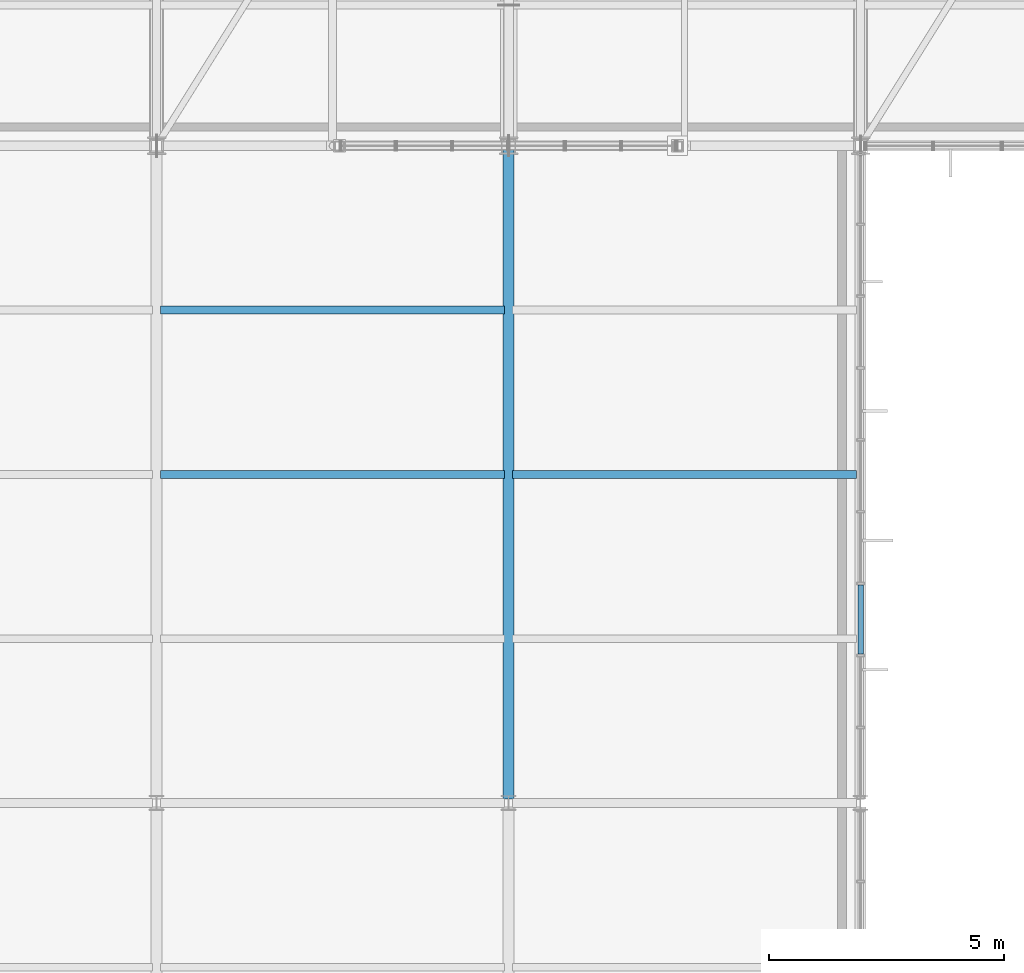
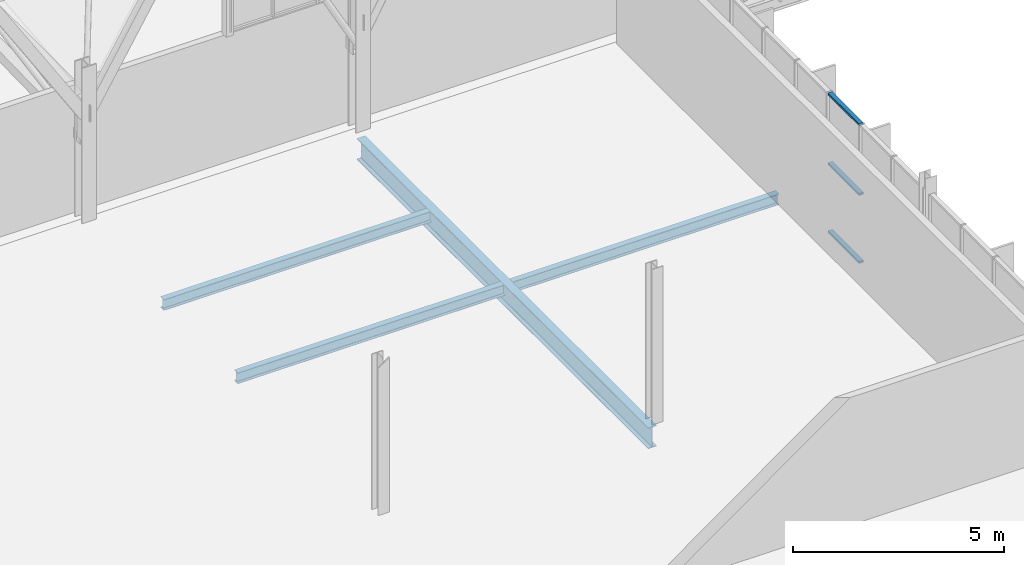
# One storey, part 53 of 324: 4 beams, 3 members, 1 element without a shape of its own.
"""IFC4 building model written with IfcOpenShell, lengths in metres."""

from ifc_helpers import new_model, si_unit, direction, frame, origin, origin_2d, place, context, subcontext, project, spatial, hollow_rectangle, i_section, extrude, material, layer, layer_set, material_profile, profile_set, type_object, element, aggregate, save


model = new_model("IFC4")

# Units and contexts
model_context = context("Model", 3, precision=1e-05, world=origin(), true_north=direction((0.0, 1.0)))
body_context = subcontext(model_context, "Body", "Model", "MODEL_VIEW")
ifc_project = project(units=[si_unit("LENGTHUNIT", "METRE"), si_unit("AREAUNIT", "SQUARE_METRE"), si_unit("VOLUMEUNIT", "CUBIC_METRE"), si_unit("PLANEANGLEUNIT", "RADIAN"), si_unit("MASSUNIT", "GRAM", prefix="KILO")], contexts=[model_context])

# Site, building, storey
site_placement = place(None, origin())
site = spatial("IfcSite", under=ifc_project, at=site_placement, CompositionType="ELEMENT")
building_placement = place(site_placement, origin())
building = spatial("IfcBuilding", under=site, at=building_placement, Name="Solvenia Promenade Tram Depot", CompositionType="ELEMENT")
storey_placement = place(building_placement, frame((0.0, 0.0, 4.5)))
storey = spatial("IfcBuildingStorey", under=building, at=storey_placement, Name="L01", CompositionType="ELEMENT", Elevation=4.5)

# Curtain wall, members
ifc_material_1 = material(Name="Anodized aluminium AW-6063 T6", Category="aluminium")
ifc_layer = layer(ifc_material_1, 0.1201171875, Name="Anodized aluminium AW-6063 T6", Category="aluminium")
ifc_layer_set = layer_set([ifc_layer], Name="Anodized aluminium AW-6063 T6")
curtain_wall_type = type_object("IfcCurtainWallType", Name="CW-Wash-1500", PredefinedType="NOTDEFINED", material=ifc_layer_set)
curtain_wall_placement = place(storey_placement, origin())
curtain_wall = element("IfcCurtainWall", 1, at=curtain_wall_placement, inside=storey, type_object=curtain_wall_type, Name="Curtain Wall CW-V3-E-L1-3", PredefinedType="NOTDEFINED")
ifc_material_profile_1 = material_profile(ifc_material_1, hollow_rectangle(XDim=0.1201171875, YDim=0.06005859375, WallThickness=0.00390625, at=origin_2d()), Name="ALU-T1", Category="aluminium")
ifc_profile_set_1 = profile_set([ifc_material_profile_1], Name="Anodized aluminium AW-6063 T6")
member_type = type_object("IfcMemberType", Name="CWT-Transom-1", PredefinedType="USERDEFINED", material=ifc_profile_set_1)
member_1_placement = place(storey_placement, frame((45.0, 55.168212890625, 0.030029296875), z_axis=(0.0, 1.0, 0.0), x_axis=(-1.0, 0.0, 0.0)))
member_1 = element("IfcMember", 2, at=member_1_placement, type_object=member_type, Name="CW-10 transom 3.1", ObjectType="TRANSOM", PredefinedType="USERDEFINED", context=body_context, shape_type="SweptSolid", body=[
    extrude(hollow_rectangle(XDim=0.1201171875, YDim=0.06005859375, WallThickness=0.00390625, at=origin_2d()), origin(), (0.0, 0.0, 1.0), 1.47900390625),
])
member_2_placement = place(storey_placement, frame((45.0, 55.168212890625, 2.0), z_axis=(0.0, 1.0, 0.0), x_axis=(-1.0, 0.0, 0.0)))
member_2 = element("IfcMember", 3, at=member_2_placement, type_object=member_type, Name="CW-10 transom 3.2", ObjectType="TRANSOM", PredefinedType="USERDEFINED", context=body_context, shape_type="SweptSolid", body=[
    extrude(hollow_rectangle(XDim=0.1201171875, YDim=0.06005859375, WallThickness=0.00390625, at=origin_2d()), origin(), (0.0, 0.0, 1.0), 1.47900390625),
])
member_3_placement = place(storey_placement, frame((45.0, 55.168212890625, 4.02001953125), z_axis=(0.0, 1.0, 0.0), x_axis=(-1.0, 0.0, 0.0)))
member_3 = element("IfcMember", 4, at=member_3_placement, type_object=member_type, Name="CW-10 transom 3.3", ObjectType="TRANSOM", PredefinedType="USERDEFINED", context=body_context, shape_type="SweptSolid", body=[
    extrude(hollow_rectangle(XDim=0.1201171875, YDim=0.06005859375, WallThickness=0.00390625, at=origin_2d()), origin(), (0.0, 0.0, 1.0), 1.47900390625),
])
aggregate(curtain_wall, [member_1, member_2, member_3])

# Beams
ifc_material_2 = material(Name="Structural steel ASTM A992 Gr. 50", Category="steel")
ifc_material_profile_2 = material_profile(ifc_material_2, i_section(OverallWidth=0.22900390625, OverallDepth=0.612060546875, WebThickness=0.011962890625, FlangeThickness=0.01953125, FilletRadius=0.014892578125, at=origin_2d()), Name="W610x125", Category="steel")
ifc_profile_set_2 = profile_set([ifc_material_profile_2], Name="Structural steel ASTM A992 Gr. 50")
beam_type_1 = type_object("IfcBeamType", Name="Gird-W610x125", PredefinedType="BEAM", material=ifc_profile_set_2)
beam_placement = place(storey_placement, frame((37.5, 52.0849609375, -0.5458984375), z_axis=(0.0, 1.0, 0.0), x_axis=(-1.0, 0.0, 0.0)))
element("IfcBeam", 5, at=beam_placement, inside=storey, type_object=beam_type_1, Name="Transverse Girder BM-L01-0246", PredefinedType="BEAM", context=body_context, shape_type="SweptSolid", body=[
    extrude(i_section(OverallWidth=0.22900390625, OverallDepth=0.612060546875, WebThickness=0.011962890625, FlangeThickness=0.01953125, FilletRadius=0.014892578125, at=origin_2d()), origin(), (0.0, 0.0, 1.0), 13.830078125),
])
ifc_material_profile_3 = material_profile(ifc_material_2, i_section(OverallWidth=0.166015625, OverallDepth=0.31298828125, WebThickness=0.006591796875, FlangeThickness=0.01123046875, FilletRadius=0.010009765625, at=origin_2d()), Name="W310x45", Category="steel")
ifc_profile_set_3 = profile_set([ifc_material_profile_3], Name="Structural steel ASTM A992 Gr. 50")
beam_type_2 = type_object("IfcBeamType", Name="Joist-W310x45", PredefinedType="JOIST", material=ifc_profile_set_3)
for number, where, z_axis, x_axis, name in (
    (6, (30.0849609375, 59.0, -0.396484375), (1.0, 0.0, 0.0), (0.0, 1.0, 0.0), "Secondary Floor Joist BM-L01-0291"),
    (7, (30.0849609375, 62.5, -0.396484375), (1.0, 0.0, 0.0), (0.0, 1.0, 0.0), "Secondary Floor Joist BM-L01-0292"),
    (8, (37.5849609375, 59.0, -0.396484375), (1.0, 0.0, 0.0), (0.0, 1.0, 0.0), "Secondary Floor Joist BM-L01-0300"),
):
    element("IfcBeam", number, at=place(storey_placement, frame(where, z_axis=z_axis, x_axis=x_axis)), inside=storey, type_object=beam_type_2, Name=name, PredefinedType="JOIST", context=body_context, shape_type="SweptSolid", body=[
        extrude(i_section(OverallWidth=0.166015625, OverallDepth=0.31298828125, WebThickness=0.006591796875, FlangeThickness=0.01123046875, FilletRadius=0.010009765625, at=origin_2d()), origin(), (0.0, 0.0, 1.0), 7.330078125),
    ])

save(model, "model.ifc")
